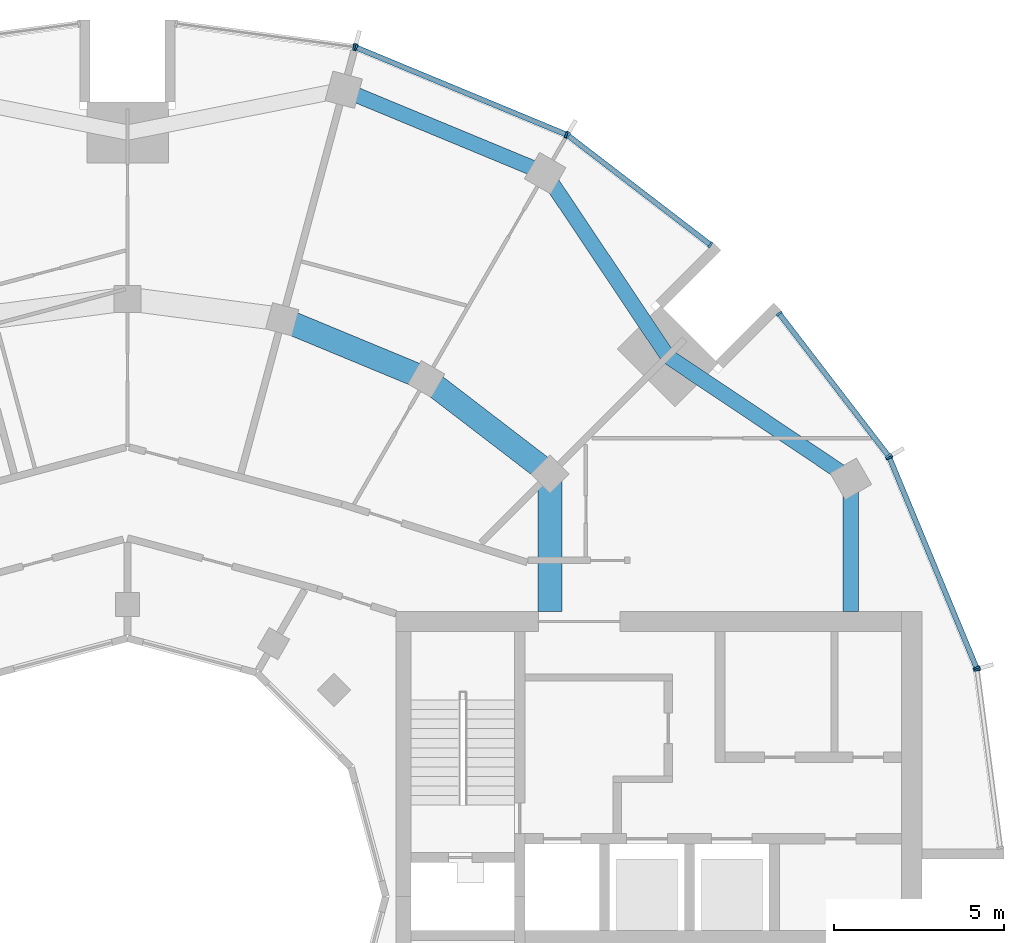
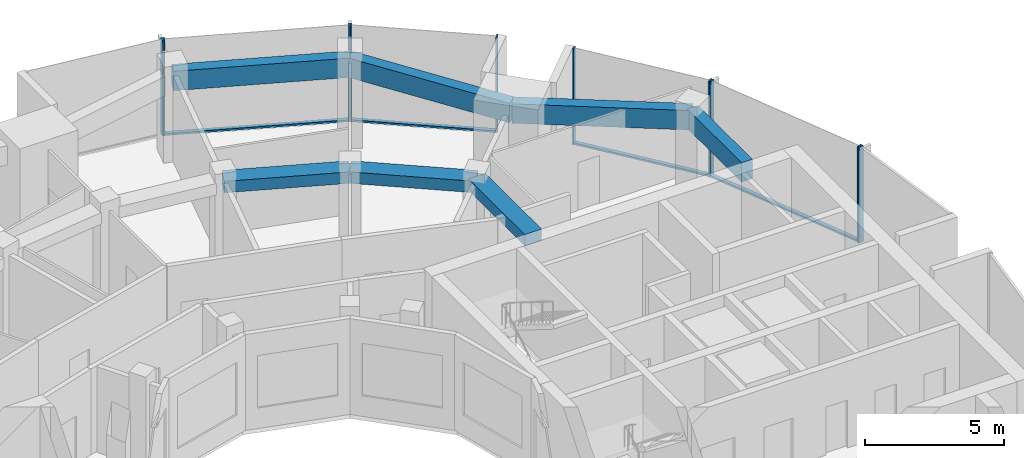
# One storey, part 6 of 15: 14 members, 7 beams, 6 elements without a shape of their own.
"""IFC4 building model written with IfcOpenShell, lengths in metres."""

from ifc_helpers import new_model, si_unit, direction, frame, origin, origin_2d, place, context, subcontext, project, spatial, rectangle, extrude, material, layer, layer_set, material_profile, profile_set, type_object, element, aggregate, save


model = new_model("IFC4")

# Units and contexts
model_context = context("Model", 3, precision=1e-05, world=origin(), true_north=direction((0.0, 1.0)))
body_context = subcontext(model_context, "Body", "Model", "MODEL_VIEW")
ifc_project = project(units=[si_unit("LENGTHUNIT", "METRE"), si_unit("AREAUNIT", "SQUARE_METRE"), si_unit("VOLUMEUNIT", "CUBIC_METRE"), si_unit("PLANEANGLEUNIT", "RADIAN"), si_unit("MASSUNIT", "GRAM", prefix="KILO")], contexts=[model_context])

# Site, building, storey
site_placement = place(None, origin())
site = spatial("IfcSite", under=ifc_project, at=site_placement, CompositionType="ELEMENT")
building_placement = place(site_placement, origin())
building = spatial("IfcBuilding", under=site, at=building_placement, Name="Torre Brocal", CompositionType="ELEMENT")
storey_placement = place(building_placement, frame((0.0, 0.0, 225.10009765625)))
storey = spatial("IfcBuildingStorey", under=building, at=storey_placement, Name="L52", CompositionType="ELEMENT", Elevation=225.10009765625)

# Curtain wall, members
ifc_material_1 = material(Name="Aluminium and glass", Category="aluminium")
ifc_layer_1 = layer(ifc_material_1, 0.199951171875)
ifc_layer_set_1 = layer_set([ifc_layer_1], Name="Aluminium and glass")
curtain_wall_type_1 = type_object("IfcCurtainWallType", Name="CW-1 CURTAIN WALL 4200 HIGH", PredefinedType="NOTDEFINED", material=ifc_layer_set_1)
curtain_wall_1_placement = place(storey_placement, origin())
curtain_wall_1 = element("IfcCurtainWall", 1, at=curtain_wall_1_placement, inside=storey, type_object=curtain_wall_type_1, Name="CW-1 RUN 2", PredefinedType="NOTDEFINED")
ifc_material_2 = material(Name="Aluminium, dark anodised", Category="aluminium")
ifc_material_profile_1 = material_profile(ifc_material_2, rectangle(XDim=0.199951171875, YDim=0.06005859375, at=origin_2d()), Name="CW-1 MULLION 60X200")
ifc_profile_set_1 = profile_set([ifc_material_profile_1], Name="Aluminium, dark anodised")
member_type_1 = type_object("IfcMemberType", Name="CW-1 MULLION 60X200", PredefinedType="MULLION", material=ifc_profile_set_1)
member_1_placement = place(storey_placement, frame((105.005126953125, 81.73095703125, 0.0), z_axis=(0.0, 0.0, 1.0), x_axis=(-0.923879532525, -0.382683432333, 0.0)))
member_1 = element("IfcMember", 2, at=member_1_placement, type_object=member_type_1, Name="CW1-5 mullion 1", PredefinedType="MULLION", context=body_context, shape_type="SweptSolid", body=[
    extrude(rectangle(XDim=0.199951171875, YDim=0.06005859375, at=origin_2d()), origin(), (0.0, 0.0, 1.0), 4.199951171875),
])
member_2_placement = place(storey_placement, frame((102.440673828125, 87.921875, 0.0), z_axis=(0.0, 0.0, 1.0), x_axis=(-0.923879532525, -0.382683432333, 0.0)))
member_2 = element("IfcMember", 3, at=member_2_placement, type_object=member_type_1, Name="CW1-5 mullion 2", PredefinedType="MULLION", context=body_context, shape_type="SweptSolid", body=[
    extrude(rectangle(XDim=0.199951171875, YDim=0.06005859375, at=origin_2d()), origin(), (0.0, 0.0, 1.0), 4.199951171875),
])

curtain_wall_2_placement = place(storey_placement, origin())
curtain_wall_2 = element("IfcCurtainWall", 4, at=curtain_wall_2_placement, inside=storey, type_object=curtain_wall_type_1, Name="CW-1 RUN 3", PredefinedType="NOTDEFINED")
member_3_placement = place(storey_placement, frame((102.4111328125, 87.973388671875, 0.0), z_axis=(0.0, 0.0, 1.0), x_axis=(-0.793353340259, -0.60876142905, 0.0)))
member_3 = element("IfcMember", 5, at=member_3_placement, type_object=member_type_1, Name="CW1-5 mullion 1", PredefinedType="MULLION", context=body_context, shape_type="SweptSolid", body=[
    extrude(rectangle(XDim=0.199951171875, YDim=0.06005859375, at=origin_2d()), origin(), (0.0, 0.0, 1.0), 4.199951171875),
])
member_4_placement = place(storey_placement, frame((99.19140625, 92.16943359375, 0.0), z_axis=(0.0, 0.0, 1.0), x_axis=(-0.793353340259, -0.60876142905, 0.0)))
member_4 = element("IfcMember", 6, at=member_4_placement, type_object=member_type_1, Name="CW1-5 mullion 2", PredefinedType="MULLION", context=body_context, shape_type="SweptSolid", body=[
    extrude(rectangle(XDim=0.199951171875, YDim=0.06005859375, at=origin_2d()), origin(), (0.0, 0.0, 1.0), 4.199951171875),
])

curtain_wall_3_placement = place(storey_placement, origin())
curtain_wall_3 = element("IfcCurtainWall", 7, at=curtain_wall_3_placement, inside=storey, type_object=curtain_wall_type_1, Name="CW-1 RUN 4", PredefinedType="NOTDEFINED")
member_5_placement = place(storey_placement, frame((97.16943359375, 94.19140625, 0.0), z_axis=(0.0, 0.0, 1.0), x_axis=(-0.60876142905, -0.793353340259, 0.0)))
member_5 = element("IfcMember", 8, at=member_5_placement, type_object=member_type_1, Name="CW1-5 mullion 1", PredefinedType="MULLION", context=body_context, shape_type="SweptSolid", body=[
    extrude(rectangle(XDim=0.199951171875, YDim=0.06005859375, at=origin_2d()), origin(), (0.0, 0.0, 1.0), 4.199951171875),
])
member_6_placement = place(storey_placement, frame((92.973388671875, 97.4111328125, 0.0), z_axis=(0.0, 0.0, 1.0), x_axis=(-0.60876142905, -0.793353340259, 0.0)))
member_6 = element("IfcMember", 9, at=member_6_placement, type_object=member_type_1, Name="CW1-5 mullion 2", PredefinedType="MULLION", context=body_context, shape_type="SweptSolid", body=[
    extrude(rectangle(XDim=0.199951171875, YDim=0.06005859375, at=origin_2d()), origin(), (0.0, 0.0, 1.0), 4.199951171875),
])

curtain_wall_4_placement = place(storey_placement, origin())
curtain_wall_4 = element("IfcCurtainWall", 10, at=curtain_wall_4_placement, inside=storey, type_object=curtain_wall_type_1, Name="CW-1 RUN 5", PredefinedType="NOTDEFINED")
member_7_placement = place(storey_placement, frame((92.921875, 97.440673828125, 0.0), z_axis=(0.0, 0.0, 1.0), x_axis=(-0.382683432333, -0.923879532525, 0.0)))
member_7 = element("IfcMember", 11, at=member_7_placement, type_object=member_type_1, Name="CW1-5 mullion 1", PredefinedType="MULLION", context=body_context, shape_type="SweptSolid", body=[
    extrude(rectangle(XDim=0.199951171875, YDim=0.06005859375, at=origin_2d()), origin(), (0.0, 0.0, 1.0), 4.199951171875),
])
member_8_placement = place(storey_placement, frame((86.73095703125, 100.005126953125, 0.0), z_axis=(0.0, 0.0, 1.0), x_axis=(-0.382683432333, -0.923879532525, 0.0)))
member_8 = element("IfcMember", 12, at=member_8_placement, type_object=member_type_1, Name="CW1-5 mullion 2", PredefinedType="MULLION", context=body_context, shape_type="SweptSolid", body=[
    extrude(rectangle(XDim=0.199951171875, YDim=0.06005859375, at=origin_2d()), origin(), (0.0, 0.0, 1.0), 4.199951171875),
])

# Curtain wall, member
curtain_wall_5_placement = place(storey_placement, origin())
curtain_wall_5 = element("IfcCurtainWall", 13, at=curtain_wall_5_placement, inside=storey, type_object=curtain_wall_type_1, Name="CW-1 RUN 6", PredefinedType="NOTDEFINED")
member_9_placement = place(storey_placement, frame((86.67333984375, 100.0205078125, 0.0), z_axis=(0.0, 0.0, 1.0), x_axis=(-0.13052619222, -0.991444861374, 0.0)))
member_9 = element("IfcMember", 14, at=member_9_placement, type_object=member_type_1, Name="CW1-5 mullion 1", PredefinedType="MULLION", context=body_context, shape_type="SweptSolid", body=[
    extrude(rectangle(XDim=0.199951171875, YDim=0.06005859375, at=origin_2d()), origin(), (0.0, 0.0, 1.0), 4.199951171875),
])
aggregate(curtain_wall_5, [member_9])

# Member
ifc_material_3 = material(Name="Aluminium, dark anodised", Category="aluminium")
ifc_material_profile_2 = material_profile(ifc_material_3, rectangle(XDim=0.159912109375, YDim=0.080078125, at=origin_2d()), Name="CW-1 TRANSOM 160X80")
ifc_profile_set_2 = profile_set([ifc_material_profile_2], Name="Aluminium, dark anodised")
member_type_2 = type_object("IfcMemberType", Name="CW-1 TRANSOM 160X80", PredefinedType="USERDEFINED", material=ifc_profile_set_2)
member_10_placement = place(storey_placement, frame((104.99365234375, 81.758544921875, 0.039794921875), z_axis=(-0.38266457234, 0.923887344364, 0.0), x_axis=(-0.923887344364, -0.38266457234, 0.0)))
member_10 = element("IfcMember", 15, at=member_10_placement, type_object=member_type_2, Name="CW1-5 transom 1.1", ObjectType="TRANSOM", PredefinedType="USERDEFINED", context=body_context, shape_type="SweptSolid", body=[
    extrude(rectangle(XDim=0.159912109375, YDim=0.080078125, at=origin_2d()), origin(), (0.0, 0.0, 1.0), 6.640869140625),
])

aggregate(curtain_wall_1, [member_1, member_2, member_10])

member_11_placement = place(storey_placement, frame((102.392822265625, 87.9970703125, 0.039794921875), z_axis=(-0.60874908096, 0.79336281513, 0.0), x_axis=(-0.79336281513, -0.60874908096, 0.0)))
member_11 = element("IfcMember", 16, at=member_11_placement, type_object=member_type_2, Name="CW1-5 transom 1.1", ObjectType="TRANSOM", PredefinedType="USERDEFINED", context=body_context, shape_type="SweptSolid", body=[
    extrude(rectangle(XDim=0.159912109375, YDim=0.080078125, at=origin_2d()), origin(), (0.0, 0.0, 1.0), 5.22900390625),
])

aggregate(curtain_wall_2, [member_3, member_4, member_11])

member_12_placement = place(storey_placement, frame((97.1455078125, 94.209716796875, 0.039794921875), z_axis=(-0.79336281513, 0.60874908096, 0.0), x_axis=(-0.60874908096, -0.79336281513, 0.0)))
member_12 = element("IfcMember", 17, at=member_12_placement, type_object=member_type_2, Name="CW1-5 transom 1.1", ObjectType="TRANSOM", PredefinedType="USERDEFINED", context=body_context, shape_type="SweptSolid", body=[
    extrude(rectangle(XDim=0.159912109375, YDim=0.080078125, at=origin_2d()), origin(), (0.0, 0.0, 1.0), 5.22900390625),
])

aggregate(curtain_wall_3, [member_5, member_6, member_12])

member_13_placement = place(storey_placement, frame((92.89404296875, 97.452392578125, 0.039794921875), z_axis=(-0.923887344364, 0.38266457234, 0.0), x_axis=(-0.38266457234, -0.923887344364, 0.0)))
member_13 = element("IfcMember", 18, at=member_13_placement, type_object=member_type_2, Name="CW1-5 transom 1.1", ObjectType="TRANSOM", PredefinedType="USERDEFINED", context=body_context, shape_type="SweptSolid", body=[
    extrude(rectangle(XDim=0.159912109375, YDim=0.080078125, at=origin_2d()), origin(), (0.0, 0.0, 1.0), 6.640869140625),
])

aggregate(curtain_wall_4, [member_7, member_8, member_13])

# Curtain wall, member
ifc_material_4 = material(Name="Aluminium and glass", Category="aluminium")
ifc_layer_2 = layer(ifc_material_4, 0.199951171875)
ifc_layer_set_2 = layer_set([ifc_layer_2], Name="Aluminium and glass")
curtain_wall_type_2 = type_object("IfcCurtainWallType", Name="CW-1B CURTAIN WALL 4200 HIGH", PredefinedType="NOTDEFINED", material=ifc_layer_set_2)
curtain_wall_6_placement = place(storey_placement, origin())
curtain_wall_6 = element("IfcCurtainWall", 19, at=curtain_wall_6_placement, inside=storey, type_object=curtain_wall_type_2, Name="CW-1B RUN 1", PredefinedType="NOTDEFINED")
ifc_material_5 = material(Name="Aluminium, dark anodised", Category="aluminium")
ifc_material_profile_3 = material_profile(ifc_material_5, rectangle(XDim=0.199951171875, YDim=0.06005859375, at=origin_2d()), Name="CW-1B MULLION 60X200")
ifc_profile_set_3 = profile_set([ifc_material_profile_3], Name="Aluminium, dark anodised")
member_type_3 = type_object("IfcMemberType", Name="CW-1B MULLION 60X200", PredefinedType="MULLION", material=ifc_profile_set_3)
member_14_placement = place(storey_placement, frame((105.0205078125, 81.67333984375, 0.0), z_axis=(0.0, 0.0, 1.0), x_axis=(-0.991444861374, -0.13052619222, 0.0)))
member_14 = element("IfcMember", 20, at=member_14_placement, type_object=member_type_3, Name="CW1B-5 mullion 2", PredefinedType="MULLION", context=body_context, shape_type="SweptSolid", body=[
    extrude(rectangle(XDim=0.199951171875, YDim=0.06005859375, at=origin_2d()), origin(), (0.0, 0.0, 1.0), 4.199951171875),
])
aggregate(curtain_wall_6, [member_14])

# Beams
ifc_material_6 = material(Name="Concrete C50", Category="concrete")
ifc_material_profile_4 = material_profile(ifc_material_6, rectangle(XDim=0.699951171875, YDim=0.5, at=origin_2d()), Name="RC 700X500")
ifc_profile_set_4 = profile_set([ifc_material_profile_4], Name="Concrete C50")
beam_type_1 = type_object("IfcBeamType", Name="RC BEAM 700X500 C50 TOP 3800", PredefinedType="BEAM", material=ifc_profile_set_4)
beam_1_placement = place(storey_placement, frame((92.445068359375, 87.445068359375, 3.5498046875), z_axis=(-0.793358265959, 0.6087550097, 0.0), x_axis=(-0.6087550097, -0.793358265959, 0.0)))
element("IfcBeam", 21, at=beam_1_placement, inside=storey, type_object=beam_type_1, Name="Beam BT-39", PredefinedType="BEAM", context=body_context, shape_type="SweptSolid", body=[
    extrude(rectangle(XDim=0.699951171875, YDim=0.5, at=origin_2d()), origin(), (0.0, 0.0, 1.0), 4.594482421875),
])
beam_2_placement = place(storey_placement, frame((88.800048828125, 90.241943359375, 3.5498046875), z_axis=(-0.923878240166, 0.382686552348, 0.0), x_axis=(-0.382686552348, -0.923878240166, 0.0)))
element("IfcBeam", 22, at=beam_2_placement, inside=storey, type_object=beam_type_1, Name="Beam BT-39", PredefinedType="BEAM", context=body_context, shape_type="SweptSolid", body=[
    extrude(rectangle(XDim=0.699951171875, YDim=0.5, at=origin_2d()), origin(), (0.0, 0.0, 1.0), 4.5947265625),
])
beam_3_placement = place(storey_placement, frame((92.445068359375, 87.445068359375, 3.5498046875), z_axis=(0.0, -1.0, 0.0), x_axis=(1.0, 0.0, 0.0)))
element("IfcBeam", 23, at=beam_3_placement, inside=storey, type_object=beam_type_1, Name="Beam BT-39", PredefinedType="BEAM", context=body_context, shape_type="SweptSolid", body=[
    extrude(rectangle(XDim=0.699951171875, YDim=0.5, at=origin_2d()), origin(), (0.0, 0.0, 1.0), 4.045166015625),
])
ifc_material_7 = material(Name="Concrete C50", Category="concrete")
ifc_material_profile_5 = material_profile(ifc_material_7, rectangle(XDim=0.449951171875, YDim=0.85009765625, at=origin_2d()), Name="RC 450X850")
ifc_profile_set_5 = profile_set([ifc_material_profile_5], Name="Concrete C50")
beam_type_2 = type_object("IfcBeamType", Name="RC SPANDREL BEAM 450X850 C50 TOP 3800", PredefinedType="SPANDREL", material=ifc_profile_set_5)
for number, where, z_axis, x_axis, name in (
    (24, (101.30419921875, 87.300048828125, 3.375), (-0.831076844476, 0.556157602282, 0.0), (-0.556157602282, -0.831076844476, 0.0), "Beam BT-40"),
    (25, (95.909912109375, 90.909912109375, 3.375), (-0.556157602282, 0.831076844476, 0.0), (-0.831076844476, -0.556157602282, 0.0), "Beam BT-40"),
):
    element("IfcBeam", number, at=place(storey_placement, frame(where, z_axis=z_axis, x_axis=x_axis)), inside=storey, type_object=beam_type_2, Name=name, PredefinedType="SPANDREL", context=body_context, shape_type="SweptSolid", body=[
        extrude(rectangle(XDim=0.449951171875, YDim=0.85009765625, at=origin_2d()), origin(), (0.0, 0.0, 1.0), 6.49072265625),
    ])
beam_4_placement = place(storey_placement, frame((92.300048828125, 96.30419921875, 3.375), z_axis=(-0.923882462513, 0.382676358639, 0.0), x_axis=(-0.382676358639, -0.923882462513, 0.0)))
element("IfcBeam", 26, at=beam_4_placement, inside=storey, type_object=beam_type_2, Name="Beam BT-40", PredefinedType="SPANDREL", context=body_context, shape_type="SweptSolid", body=[
    extrude(rectangle(XDim=0.449951171875, YDim=0.85009765625, at=origin_2d()), origin(), (0.0, 0.0, 1.0), 6.421875),
])
beam_5_placement = place(storey_placement, frame((101.30419921875, 87.300048828125, 3.375), z_axis=(0.0, -1.0, 0.0), x_axis=(1.0, 0.0, 0.0)))
element("IfcBeam", 27, at=beam_5_placement, inside=storey, type_object=beam_type_2, Name="Beam BT-40", PredefinedType="SPANDREL", context=body_context, shape_type="SweptSolid", body=[
    extrude(rectangle(XDim=0.449951171875, YDim=0.85009765625, at=origin_2d()), origin(), (0.0, 0.0, 1.0), 3.900146484375),
])

save(model, "model.ifc")
